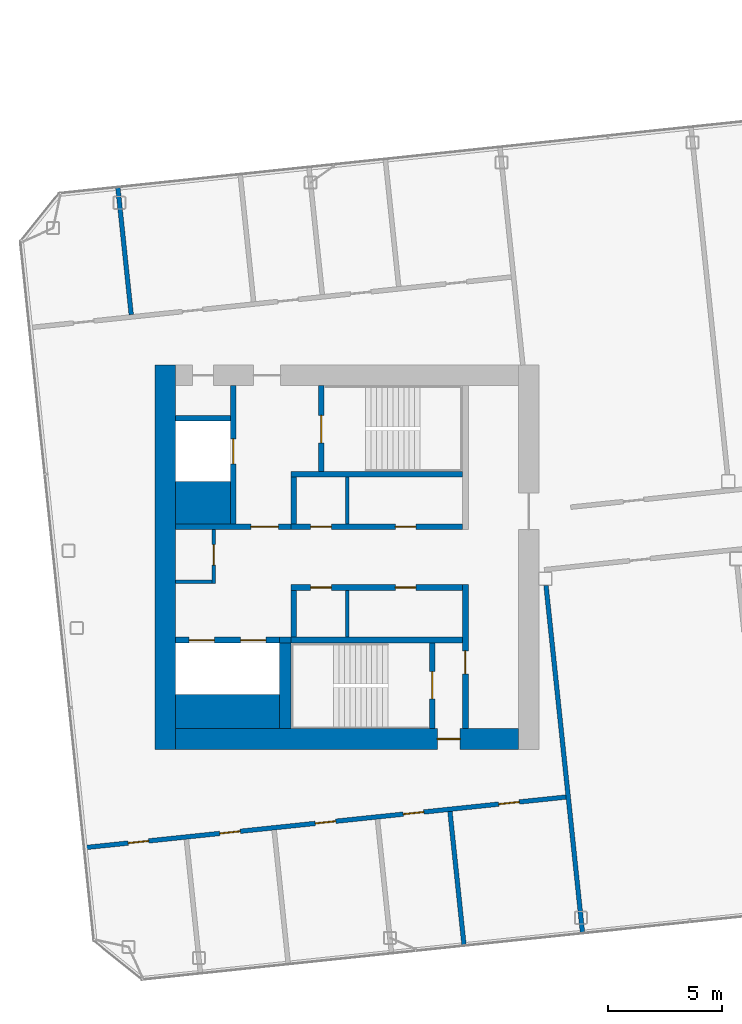
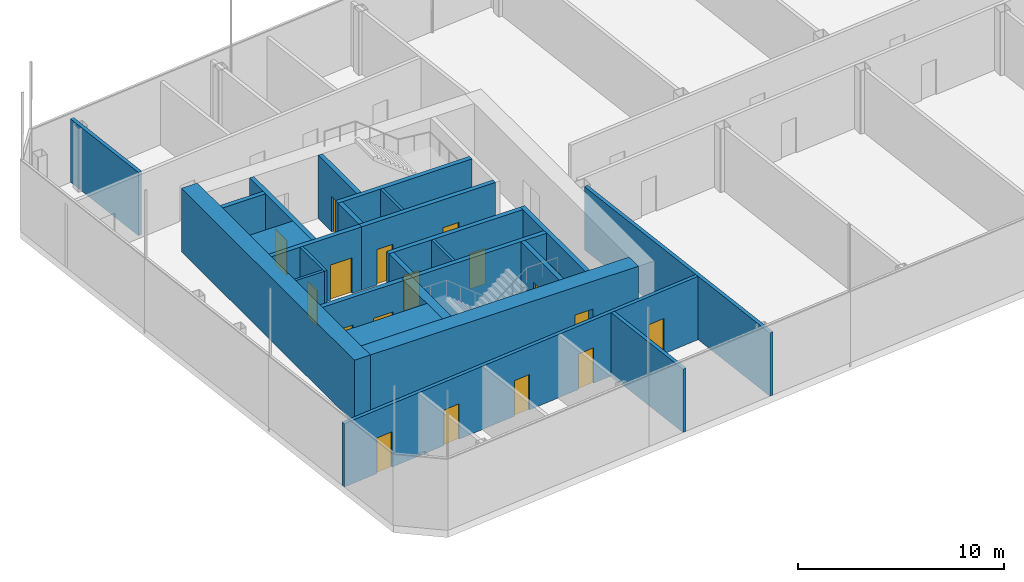
# One storey, part 17 of 41: 27 walls, 18 doors, 18 openings.
"""IFC4 building model written with IfcOpenShell, lengths in metres."""

from ifc_helpers import new_model, si_unit, direction, frame, frame_2d, origin, place, context, subcontext, project, spatial, rectangle, extrude, material, layer, layer_set, type_object, element, fill, save


model = new_model("IFC4")

# Units and contexts
model_context = context("Model", 3, precision=1e-05, world=origin(), true_north=direction((0.0, 1.0)))
body_context = subcontext(model_context, "Body", "Model", "MODEL_VIEW")
ifc_project = project(units=[si_unit("LENGTHUNIT", "METRE"), si_unit("AREAUNIT", "SQUARE_METRE"), si_unit("VOLUMEUNIT", "CUBIC_METRE"), si_unit("PLANEANGLEUNIT", "RADIAN"), si_unit("MASSUNIT", "GRAM", prefix="KILO")], contexts=[model_context])

# Site, building, storey
site_placement = place(None, origin())
site = spatial("IfcSite", under=ifc_project, at=site_placement, CompositionType="ELEMENT")
building_placement = place(site_placement, origin())
building = spatial("IfcBuilding", under=site, at=building_placement, Name="Hakoniwa Tower and Hamabe Station Hall", CompositionType="ELEMENT")
storey_placement = place(building_placement, frame((0.0, 0.0, 276.60009765625)))
storey = spatial("IfcBuildingStorey", under=building, at=storey_placement, Name="L77", CompositionType="ELEMENT", Elevation=276.60009765625)

# Wall, opening, door
ifc_material_1 = material(Name="Gypsum board partition")
ifc_layer_1 = layer(ifc_material_1, 0.14990234375)
ifc_layer_set_1 = layer_set([ifc_layer_1], Name="CORE PARTITION 150 EI 60")
wall_type_1 = type_object("IfcWallType", Name="CORE PARTITION 150 EI 60", PredefinedType="PARTITIONING", material=ifc_layer_set_1)
wall_1_placement = place(storey_placement, frame((-31.02490234375, -1.14990234375, 0.0), z_axis=(0.0, 0.0, 1.0), x_axis=(0.0, 1.0, 0.0)))
wall_1 = element("IfcWall", 1, at=wall_1_placement, inside=storey, type_object=wall_type_1, Name="Core partition PW0 west", PredefinedType="PARTITIONING", context=body_context, shape_type="SweptSolid", body=[
    extrude(rectangle(XDim=2.349853515625, YDim=0.14990234375, at=frame_2d((1.1748046875, 0.0))), origin(), (0.0, 0.0, 1.0), 3.75),
])
opening_1_placement = place(wall_1_placement, frame((0.800048828125, 0.0, 0.0)))
opening_1 = element("IfcOpeningElement", 2, at=opening_1_placement, cuts=wall_1, Name="Opening CD-W-RM1-9", PredefinedType="OPENING", context=body_context, shape_type="SweptSolid", body=[
    extrude(rectangle(XDim=0.89990234375, YDim=2.10009765625, at=frame_2d((0.449951171875, 1.050048828125))), frame((0.0, 0.0849609375, 0.0), z_axis=(0.0, -1.0, 0.0), x_axis=(1.0, 0.0, 0.0)), (0.0, 0.0, 1.0), 0.169921875),
])
ifc_material_2 = material(Name="Steel fire door", Category="steel")
door_type_1 = type_object("IfcDoorType", Name="CORE DOOR 900 FD30", OperationType="NOTDEFINED", PredefinedType="DOOR", material=ifc_material_2)
door_1_placement = place(opening_1_placement, origin())
door_1 = element("IfcDoor", 3, at=door_1_placement, inside=storey, type_object=door_type_1, Name="Store room door", OperationType="SINGLE_SWING_LEFT", OverallHeight=2.10009765625, OverallWidth=0.89990234375, PredefinedType="DOOR", context=body_context, shape_type="SweptSolid", body=[
    extrude(rectangle(XDim=0.89990234375, YDim=2.10009765625, at=frame_2d((0.449951171875, 1.050048828125))), frame((0.0, 0.02490234375, 0.0), z_axis=(0.0, -1.0, 0.0), x_axis=(1.0, 0.0, 0.0)), (0.0, 0.0, 1.0), 0.050048828125),
])
fill(opening_1, door_1)

# Walls
wall_2_placement = place(storey_placement, frame((-32.699951171875, -1.074951171875, 0.0), z_axis=(0.0, 0.0, 1.0), x_axis=(1.0, 0.0, 0.0)))
element("IfcWall", 4, at=wall_2_placement, inside=storey, type_object=wall_type_1, Name="Core partition PS west", PredefinedType="PARTITIONING", context=body_context, shape_type="SweptSolid", body=[
    extrude(rectangle(XDim=1.599853515625, YDim=0.14990234375, at=frame_2d((0.7998046875, 0.0))), origin(), (0.0, 0.0, 1.0), 3.75),
])
for number, where, z_axis, x_axis, name in (
    (5, (-25.199951171875, 1.449951171875, 0.0), (0.0, 0.0, 1.0), (0.0, 1.0, 0.0), "Core partition PFLR0 west"),
    (6, (-25.199951171875, -3.5, 0.0), (0.0, 0.0, 1.0), (0.0, 1.0, 0.0), "Core partition PFHR0 west"),
):
    element("IfcWall", number, at=place(storey_placement, frame(where, z_axis=z_axis, x_axis=x_axis)), inside=storey, type_object=wall_type_1, Name=name, PredefinedType="PARTITIONING", context=body_context, shape_type="SweptSolid", body=[
        extrude(rectangle(XDim=2.050048828125, YDim=0.14990234375, at=frame_2d((1.02490234375, 0.0))), origin(), (0.0, 0.0, 1.0), 3.75),
    ])
ifc_material_3 = material(Name="Concrete C60", Category="concrete")
ifc_layer_2 = layer(ifc_material_3, 0.89990234375)
ifc_layer_set_2 = layer_set([ifc_layer_2], Name="CORE WALL 900 C60")
wall_type_2 = type_object("IfcWallType", Name="CORE WALL 900 C60", PredefinedType="SHEAR", material=ifc_layer_set_2)
wall_3_placement = place(storey_placement, frame((-33.14990234375, -8.39990234375, 0.0), z_axis=(0.0, 0.0, 1.0), x_axis=(0.0, 1.0, 0.0)))
element("IfcWall", 7, at=wall_3_placement, inside=storey, type_object=wall_type_2, Name="Core wall OUTER west", PredefinedType="SHEAR", context=body_context, shape_type="SweptSolid", body=[
    extrude(rectangle(XDim=16.7998046875, YDim=0.89990234375, at=frame_2d((8.39990234375, 0.0))), origin(), (0.0, 0.0, 1.0), 3.75),
])

# Wall, opening, door
wall_4_placement = place(storey_placement, frame((-32.699951171875, -7.949951171875, 0.0), z_axis=(0.0, 0.0, 1.0), x_axis=(1.0, 0.0, 0.0)))
wall_4 = element("IfcWall", 8, at=wall_4_placement, inside=storey, type_object=wall_type_2, Name="Core wall SOUTH west", PredefinedType="SHEAR", context=body_context, shape_type="SweptSolid", body=[
    extrude(rectangle(XDim=15.0, YDim=0.89990234375, at=frame_2d((7.5, 0.0))), origin(), (0.0, 0.0, 1.0), 3.75),
])
opening_2_placement = place(wall_4_placement, frame((11.449951171875, 0.0, 0.0)))
opening_2 = element("IfcOpeningElement", 9, at=opening_2_placement, cuts=wall_4, Name="Opening CD-W-FS3-10", PredefinedType="OPENING", context=body_context, shape_type="SweptSolid", body=[
    extrude(rectangle(XDim=1.0, YDim=2.10009765625, at=frame_2d((0.5, 1.050048828125))), frame((0.0, 0.4599609375, 0.0), z_axis=(0.0, -1.0, 0.0), x_axis=(1.0, 0.0, 0.0)), (0.0, 0.0, 1.0), 0.919921875),
])
ifc_material_4 = material(Name="Steel fire door", Category="steel")
door_type_2 = type_object("IfcDoorType", Name="CORE DOOR 1000 FD60", OperationType="NOTDEFINED", PredefinedType="DOOR", material=ifc_material_4)
door_2_placement = place(opening_2_placement, origin())
door_2 = element("IfcDoor", 10, at=door_2_placement, inside=storey, type_object=door_type_2, Name="Stair vestibule door", OperationType="SINGLE_SWING_LEFT", OverallHeight=2.10009765625, OverallWidth=1.0, PredefinedType="DOOR", context=body_context, shape_type="SweptSolid", body=[
    extrude(rectangle(XDim=1.0, YDim=2.10009765625, at=frame_2d((0.5, 1.050048828125))), frame((0.0, 0.02490234375, 0.0), z_axis=(0.0, -1.0, 0.0), x_axis=(1.0, 0.0, 0.0)), (0.0, 0.0, 1.0), 0.050048828125),
])
fill(opening_2, door_2)

# Walls
ifc_material_5 = material(Name="Concrete C60", Category="concrete")
ifc_layer_3 = layer(ifc_material_5, 1.5)
ifc_layer_set_3 = layer_set([ifc_layer_3], Name="CORE WEB WALL 1500 C60")
wall_type_3 = type_object("IfcWallType", Name="CORE WEB WALL 1500 C60", PredefinedType="SHEAR", material=ifc_layer_set_3)
wall_5_placement = place(storey_placement, frame((-32.699951171875, -6.75, 0.0), z_axis=(0.0, 0.0, 1.0), x_axis=(1.0, 0.0, 0.0)))
element("IfcWall", 11, at=wall_5_placement, inside=storey, type_object=wall_type_3, Name="Core wall SER west", PredefinedType="SHEAR", context=body_context, shape_type="SweptSolid", body=[
    extrude(rectangle(XDim=4.550048828125, YDim=1.5, at=frame_2d((2.27490234375, 0.0))), origin(), (0.0, 0.0, 1.0), 3.75),
])
ifc_material_6 = material(Name="Concrete C60", Category="concrete")
ifc_layer_4 = layer(ifc_material_6, 1.85009765625)
ifc_layer_set_4 = layer_set([ifc_layer_4], Name="CORE WEB WALL 1850 C60")
wall_type_4 = type_object("IfcWallType", Name="CORE WEB WALL 1850 C60", PredefinedType="SHEAR", material=ifc_layer_set_4)
wall_6_placement = place(storey_placement, frame((-32.699951171875, 2.375, 0.0), z_axis=(0.0, 0.0, 1.0), x_axis=(1.0, 0.0, 0.0)))
element("IfcWall", 12, at=wall_6_placement, inside=storey, type_object=wall_type_4, Name="Core wall CA west", PredefinedType="SHEAR", context=body_context, shape_type="SweptSolid", body=[
    extrude(rectangle(XDim=2.39990234375, YDim=1.85009765625, at=frame_2d((1.199951171875, 0.0))), origin(), (0.0, 0.0, 1.0), 3.75),
])

# Wall, opening, door
ifc_material_7 = material(Name="Concrete C60", Category="concrete")
ifc_layer_5 = layer(ifc_material_7, 0.25)
ifc_layer_set_5 = layer_set([ifc_layer_5], Name="CORE WEB WALL 250 C60")
wall_type_5 = type_object("IfcWallType", Name="CORE WEB WALL 250 C60", PredefinedType="SHEAR", material=ifc_layer_set_5)
wall_7_placement = place(storey_placement, frame((-20.02490234375, -7.5, 0.0), z_axis=(0.0, 0.0, 1.0), x_axis=(0.0, 1.0, 0.0)))
wall_7 = element("IfcWall", 13, at=wall_7_placement, inside=storey, type_object=wall_type_5, Name="Core wall W1S west", PredefinedType="SHEAR", context=body_context, shape_type="SweptSolid", body=[
    extrude(rectangle(XDim=6.300048828125, YDim=0.25, at=frame_2d((3.14990234375, 0.0))), origin(), (0.0, 0.0, 1.0), 3.75),
])
opening_3_placement = place(wall_7_placement, frame((2.39990234375, 0.0, 0.0)))
opening_3 = element("IfcOpeningElement", 14, at=opening_3_placement, cuts=wall_7, Name="Opening CD-W-VS-10", PredefinedType="OPENING", context=body_context, shape_type="SweptSolid", body=[
    extrude(rectangle(XDim=1.0, YDim=2.10009765625, at=frame_2d((0.5, 1.050048828125))), frame((0.0, 0.135009765625, 0.0), z_axis=(0.0, -1.0, 0.0), x_axis=(1.0, 0.0, 0.0)), (0.0, 0.0, 1.0), 0.27001953125),
])
door_3_placement = place(opening_3_placement, origin())
door_3 = element("IfcDoor", 15, at=door_3_placement, inside=storey, type_object=door_type_2, Name="Stair vestibule door", OperationType="SINGLE_SWING_LEFT", OverallHeight=2.10009765625, OverallWidth=1.0, PredefinedType="DOOR", context=body_context, shape_type="SweptSolid", body=[
    extrude(rectangle(XDim=1.0, YDim=2.10009765625, at=frame_2d((0.5, 1.050048828125))), frame((0.0, 0.02490234375, 0.0), z_axis=(0.0, -1.0, 0.0), x_axis=(1.0, 0.0, 0.0)), (0.0, 0.0, 1.0), 0.050048828125),
])
fill(opening_3, door_3)

# Wall, openings, doors
wall_8_placement = place(storey_placement, frame((-27.64990234375, 1.324951171875, 0.0), z_axis=(0.0, 0.0, 1.0), x_axis=(1.0, 0.0, 0.0)))
wall_8 = element("IfcWall", 16, at=wall_8_placement, inside=storey, type_object=wall_type_5, Name="Core wall NF west", PredefinedType="SHEAR", context=body_context, shape_type="SweptSolid", body=[
    extrude(rectangle(XDim=7.5, YDim=0.25, at=frame_2d((3.75, 0.0))), origin(), (0.0, 0.0, 1.0), 3.75),
])
opening_4_placement = place(wall_8_placement, frame((4.5625, 0.0, 0.0)))
opening_4 = element("IfcOpeningElement", 17, at=opening_4_placement, cuts=wall_8, Name="Opening CD-W-FRLR0-9", PredefinedType="OPENING", context=body_context, shape_type="SweptSolid", body=[
    extrude(rectangle(XDim=0.89990234375, YDim=2.10009765625, at=frame_2d((0.449951171875, 1.050048828125))), frame((0.0, 0.135009765625, 0.0), z_axis=(0.0, -1.0, 0.0), x_axis=(1.0, 0.0, 0.0)), (0.0, 0.0, 1.0), 0.27001953125),
])
opening_5_placement = place(wall_8_placement, frame((0.862548828125, 0.0, 0.0)))
opening_5 = element("IfcOpeningElement", 18, at=opening_5_placement, cuts=wall_8, Name="Opening CD-W-FRLR1-9", PredefinedType="OPENING", context=body_context, shape_type="SweptSolid", body=[
    extrude(rectangle(XDim=0.89990234375, YDim=2.10009765625, at=frame_2d((0.449951171875, 1.050048828125))), frame((0.0, 0.135009765625, 0.0), z_axis=(0.0, -1.0, 0.0), x_axis=(1.0, 0.0, 0.0)), (0.0, 0.0, 1.0), 0.27001953125),
])
door_4_placement = place(opening_4_placement, origin())
door_4 = element("IfcDoor", 19, at=door_4_placement, inside=storey, type_object=door_type_1, Name="Store room door", OperationType="SINGLE_SWING_RIGHT", OverallHeight=2.10009765625, OverallWidth=0.89990234375, PredefinedType="DOOR", context=body_context, shape_type="SweptSolid", body=[
    extrude(rectangle(XDim=0.89990234375, YDim=2.10009765625, at=frame_2d((0.449951171875, 1.050048828125))), frame((0.0, 0.02490234375, 0.0), z_axis=(0.0, -1.0, 0.0), x_axis=(1.0, 0.0, 0.0)), (0.0, 0.0, 1.0), 0.050048828125),
])
fill(opening_4, door_4)
door_5_placement = place(opening_5_placement, origin())
door_5 = element("IfcDoor", 20, at=door_5_placement, inside=storey, type_object=door_type_1, Name="Store room door", OperationType="SINGLE_SWING_LEFT", OverallHeight=2.10009765625, OverallWidth=0.89990234375, PredefinedType="DOOR", context=body_context, shape_type="SweptSolid", body=[
    extrude(rectangle(XDim=0.89990234375, YDim=2.10009765625, at=frame_2d((0.449951171875, 1.050048828125))), frame((0.0, 0.02490234375, 0.0), z_axis=(0.0, -1.0, 0.0), x_axis=(1.0, 0.0, 0.0)), (0.0, 0.0, 1.0), 0.050048828125),
])
fill(opening_5, door_5)

# Walls
wall_9_placement = place(storey_placement, frame((-27.52490234375, 1.449951171875, 0.0), z_axis=(0.0, 0.0, 1.0), x_axis=(0.0, 1.0, 0.0)))
element("IfcWall", 21, at=wall_9_placement, inside=storey, type_object=wall_type_5, Name="Core wall NE west", PredefinedType="SHEAR", context=body_context, shape_type="SweptSolid", body=[
    extrude(rectangle(XDim=2.050048828125, YDim=0.25, at=frame_2d((1.02490234375, 0.0))), origin(), (0.0, 0.0, 1.0), 3.75),
])
wall_10_placement = place(storey_placement, frame((-27.64990234375, 3.625, 0.0), z_axis=(0.0, 0.0, 1.0), x_axis=(1.0, 0.0, 0.0)))
element("IfcWall", 22, at=wall_10_placement, inside=storey, type_object=wall_type_5, Name="Core wall NR west", PredefinedType="SHEAR", context=body_context, shape_type="SweptSolid", body=[
    extrude(rectangle(XDim=7.5, YDim=0.25, at=frame_2d((3.75, 0.0))), origin(), (0.0, 0.0, 1.0), 3.75),
])

# Wall, opening, door
wall_11_placement = place(storey_placement, frame((-26.324951171875, 3.75, 0.0), z_axis=(0.0, 0.0, 1.0), x_axis=(0.0, 1.0, 0.0)))
wall_11 = element("IfcWall", 23, at=wall_11_placement, inside=storey, type_object=wall_type_5, Name="Core wall NSE west", PredefinedType="SHEAR", context=body_context, shape_type="SweptSolid", body=[
    extrude(rectangle(XDim=3.75, YDim=0.25, at=frame_2d((1.875, 0.0))), origin(), (0.0, 0.0, 1.0), 3.75),
])
opening_6_placement = place(wall_11_placement, frame((1.25, 0.0, 0.0)))
opening_6 = element("IfcOpeningElement", 24, at=opening_6_placement, cuts=wall_11, Name="Opening CD-W-SN-12", PredefinedType="OPENING", context=body_context, shape_type="SweptSolid", body=[
    extrude(rectangle(XDim=1.199951171875, YDim=2.10009765625, at=frame_2d((0.60009765625, 1.050048828125))), frame((0.0, 0.135009765625, 0.0), z_axis=(0.0, -1.0, 0.0), x_axis=(1.0, 0.0, 0.0)), (0.0, 0.0, 1.0), 0.27001953125),
])
ifc_material_8 = material(Name="Steel fire door", Category="steel")
door_type_3 = type_object("IfcDoorType", Name="CORE DOOR 1200 FD60", OperationType="DOUBLE_DOOR_SINGLE_SWING", PredefinedType="DOOR", material=ifc_material_8)
door_6_placement = place(opening_6_placement, origin())
door_6 = element("IfcDoor", 25, at=door_6_placement, inside=storey, type_object=door_type_3, Name="Escape stair door", OperationType="DOUBLE_DOOR_SINGLE_SWING", OverallHeight=2.10009765625, OverallWidth=1.199951171875, PredefinedType="DOOR", context=body_context, shape_type="SweptSolid", body=[
    extrude(rectangle(XDim=1.199951171875, YDim=2.10009765625, at=frame_2d((0.60009765625, 1.050048828125))), frame((0.0, 0.02490234375, 0.0), z_axis=(0.0, -1.0, 0.0), x_axis=(1.0, 0.0, 0.0)), (0.0, 0.0, 1.0), 0.050048828125),
])
fill(opening_6, door_6)

wall_12_placement = place(storey_placement, frame((-32.699951171875, 1.324951171875, 0.0), z_axis=(0.0, 0.0, 1.0), x_axis=(1.0, 0.0, 0.0)))
wall_12 = element("IfcWall", 26, at=wall_12_placement, inside=storey, type_object=wall_type_5, Name="Core wall ELN west", PredefinedType="SHEAR", context=body_context, shape_type="SweptSolid", body=[
    extrude(rectangle(XDim=5.050048828125, YDim=0.25, at=frame_2d((2.52490234375, 0.0))), origin(), (0.0, 0.0, 1.0), 3.75),
])
opening_7_placement = place(wall_12_placement, frame((3.300048828125, 0.0, 0.0)))
opening_7 = element("IfcOpeningElement", 27, at=opening_7_placement, cuts=wall_12, Name="Opening CD-W-FL-12", PredefinedType="OPENING", context=body_context, shape_type="SweptSolid", body=[
    extrude(rectangle(XDim=1.199951171875, YDim=2.10009765625, at=frame_2d((0.60009765625, 1.050048828125))), frame((0.0, 0.135009765625, 0.0), z_axis=(0.0, -1.0, 0.0), x_axis=(1.0, 0.0, 0.0)), (0.0, 0.0, 1.0), 0.27001953125),
])
door_7_placement = place(opening_7_placement, origin())
door_7 = element("IfcDoor", 28, at=door_7_placement, inside=storey, type_object=door_type_3, Name="Stair vestibule door to the fire-fighting lobby", OperationType="DOUBLE_DOOR_SINGLE_SWING", OverallHeight=2.10009765625, OverallWidth=1.199951171875, PredefinedType="DOOR", context=body_context, shape_type="SweptSolid", body=[
    extrude(rectangle(XDim=1.199951171875, YDim=2.10009765625, at=frame_2d((0.60009765625, 1.050048828125))), frame((0.0, 0.02490234375, 0.0), z_axis=(0.0, -1.0, 0.0), x_axis=(1.0, 0.0, 0.0)), (0.0, 0.0, 1.0), 0.050048828125),
])
fill(opening_7, door_7)

wall_13_placement = place(storey_placement, frame((-30.175048828125, 1.449951171875, 0.0), z_axis=(0.0, 0.0, 1.0), x_axis=(0.0, 1.0, 0.0)))
wall_13 = element("IfcWall", 29, at=wall_13_placement, inside=storey, type_object=wall_type_5, Name="Core wall FFF west", PredefinedType="SHEAR", context=body_context, shape_type="SweptSolid", body=[
    extrude(rectangle(XDim=6.050048828125, YDim=0.25, at=frame_2d((3.02490234375, 0.0))), origin(), (0.0, 0.0, 1.0), 3.75),
])
opening_8_placement = place(wall_13_placement, frame((2.625, 0.0, 0.0)))
opening_8 = element("IfcOpeningElement", 30, at=opening_8_placement, cuts=wall_13, Name="Opening LD-FF1", PredefinedType="OPENING", context=body_context, shape_type="SweptSolid", body=[
    extrude(rectangle(XDim=1.10009765625, YDim=2.10009765625, at=frame_2d((0.550048828125, 1.050048828125))), frame((0.0, 0.135009765625, 0.0), z_axis=(0.0, -1.0, 0.0), x_axis=(1.0, 0.0, 0.0)), (0.0, 0.0, 1.0), 0.27001953125),
])
ifc_material_9 = material(Name="Stainless steel SUS304", Category="steel")
door_type_4 = type_object("IfcDoorType", Name="LIFT LANDING DOOR 1100 FD60", OperationType="DOUBLE_DOOR_SLIDING", PredefinedType="DOOR", material=ifc_material_9)
door_8_placement = place(opening_8_placement, origin())
door_8 = element("IfcDoor", 31, at=door_8_placement, inside=storey, type_object=door_type_4, Name="Lift landing door FF1 L77", OperationType="DOUBLE_DOOR_SLIDING", OverallHeight=2.10009765625, OverallWidth=1.10009765625, PredefinedType="DOOR", context=body_context, shape_type="SweptSolid", body=[
    extrude(rectangle(XDim=1.10009765625, YDim=2.10009765625, at=frame_2d((0.550048828125, 1.050048828125))), frame((0.0, 0.02490234375, 0.0), z_axis=(0.0, -1.0, 0.0), x_axis=(1.0, 0.0, 0.0)), (0.0, 0.0, 1.0), 0.050048828125),
])
fill(opening_8, door_8)

# Wall
wall_14_placement = place(storey_placement, frame((-32.699951171875, 6.074951171875, 0.0), z_axis=(0.0, 0.0, 1.0), x_axis=(1.0, 0.0, 0.0)))
element("IfcWall", 32, at=wall_14_placement, inside=storey, type_object=wall_type_5, Name="Core wall C2 west", PredefinedType="SHEAR", context=body_context, shape_type="SweptSolid", body=[
    extrude(rectangle(XDim=2.39990234375, YDim=0.25, at=frame_2d((1.199951171875, 0.0))), origin(), (0.0, 0.0, 1.0), 3.75),
])

# Wall, openings, doors
wall_15_placement = place(storey_placement, frame((-27.64990234375, -1.324951171875, 0.0), z_axis=(0.0, 0.0, 1.0), x_axis=(1.0, 0.0, 0.0)))
wall_15 = element("IfcWall", 33, at=wall_15_placement, inside=storey, type_object=wall_type_5, Name="Core wall SF west", PredefinedType="SHEAR", context=body_context, shape_type="SweptSolid", body=[
    extrude(rectangle(XDim=7.5, YDim=0.25, at=frame_2d((3.75, 0.0))), origin(), (0.0, 0.0, 1.0), 3.75),
])
opening_9_placement = place(wall_15_placement, frame((4.5625, 0.0, 0.0)))
opening_9 = element("IfcOpeningElement", 34, at=opening_9_placement, cuts=wall_15, Name="Opening CD-W-FRHR2-9", PredefinedType="OPENING", context=body_context, shape_type="SweptSolid", body=[
    extrude(rectangle(XDim=0.89990234375, YDim=2.10009765625, at=frame_2d((0.449951171875, 1.050048828125))), frame((0.0, 0.135009765625, 0.0), z_axis=(0.0, -1.0, 0.0), x_axis=(1.0, 0.0, 0.0)), (0.0, 0.0, 1.0), 0.27001953125),
])
opening_10_placement = place(wall_15_placement, frame((0.862548828125, 0.0, 0.0)))
opening_10 = element("IfcOpeningElement", 35, at=opening_10_placement, cuts=wall_15, Name="Opening CD-W-FRHR3-9", PredefinedType="OPENING", context=body_context, shape_type="SweptSolid", body=[
    extrude(rectangle(XDim=0.89990234375, YDim=2.10009765625, at=frame_2d((0.449951171875, 1.050048828125))), frame((0.0, 0.135009765625, 0.0), z_axis=(0.0, -1.0, 0.0), x_axis=(1.0, 0.0, 0.0)), (0.0, 0.0, 1.0), 0.27001953125),
])
door_9_placement = place(opening_9_placement, origin())
door_9 = element("IfcDoor", 36, at=door_9_placement, inside=storey, type_object=door_type_1, Name="Store room door", OperationType="SINGLE_SWING_RIGHT", OverallHeight=2.10009765625, OverallWidth=0.89990234375, PredefinedType="DOOR", context=body_context, shape_type="SweptSolid", body=[
    extrude(rectangle(XDim=0.89990234375, YDim=2.10009765625, at=frame_2d((0.449951171875, 1.050048828125))), frame((0.0, 0.02490234375, 0.0), z_axis=(0.0, -1.0, 0.0), x_axis=(1.0, 0.0, 0.0)), (0.0, 0.0, 1.0), 0.050048828125),
])
fill(opening_9, door_9)
door_10_placement = place(opening_10_placement, origin())
door_10 = element("IfcDoor", 37, at=door_10_placement, inside=storey, type_object=door_type_1, Name="Store room door", OperationType="SINGLE_SWING_RIGHT", OverallHeight=2.10009765625, OverallWidth=0.89990234375, PredefinedType="DOOR", context=body_context, shape_type="SweptSolid", body=[
    extrude(rectangle(XDim=0.89990234375, YDim=2.10009765625, at=frame_2d((0.449951171875, 1.050048828125))), frame((0.0, 0.02490234375, 0.0), z_axis=(0.0, -1.0, 0.0), x_axis=(1.0, 0.0, 0.0)), (0.0, 0.0, 1.0), 0.050048828125),
])
fill(opening_10, door_10)

# Walls
wall_16_placement = place(storey_placement, frame((-27.52490234375, -3.5, 0.0), z_axis=(0.0, 0.0, 1.0), x_axis=(0.0, 1.0, 0.0)))
element("IfcWall", 38, at=wall_16_placement, inside=storey, type_object=wall_type_5, Name="Core wall SE west", PredefinedType="SHEAR", context=body_context, shape_type="SweptSolid", body=[
    extrude(rectangle(XDim=2.050048828125, YDim=0.25, at=frame_2d((1.02490234375, 0.0))), origin(), (0.0, 0.0, 1.0), 3.75),
])
wall_17_placement = place(storey_placement, frame((-27.64990234375, -3.625, 0.0), z_axis=(0.0, 0.0, 1.0), x_axis=(1.0, 0.0, 0.0)))
element("IfcWall", 39, at=wall_17_placement, inside=storey, type_object=wall_type_5, Name="Core wall SR west", PredefinedType="SHEAR", context=body_context, shape_type="SweptSolid", body=[
    extrude(rectangle(XDim=7.5, YDim=0.25, at=frame_2d((3.75, 0.0))), origin(), (0.0, 0.0, 1.0), 3.75),
])

# Wall, opening, door
wall_18_placement = place(storey_placement, frame((-21.47509765625, -7.5, 0.0), z_axis=(0.0, 0.0, 1.0), x_axis=(0.0, 1.0, 0.0)))
wall_18 = element("IfcWall", 40, at=wall_18_placement, inside=storey, type_object=wall_type_5, Name="Core wall VE west", PredefinedType="SHEAR", context=body_context, shape_type="SweptSolid", body=[
    extrude(rectangle(XDim=3.75, YDim=0.25, at=frame_2d((1.875, 0.0))), origin(), (0.0, 0.0, 1.0), 3.75),
])
opening_11_placement = place(wall_18_placement, frame((1.300048828125, 0.0, 0.0)))
opening_11 = element("IfcOpeningElement", 41, at=opening_11_placement, cuts=wall_18, Name="Opening CD-W-SS-12", PredefinedType="OPENING", context=body_context, shape_type="SweptSolid", body=[
    extrude(rectangle(XDim=1.199951171875, YDim=2.10009765625, at=frame_2d((0.60009765625, 1.050048828125))), frame((0.0, 0.135009765625, 0.0), z_axis=(0.0, -1.0, 0.0), x_axis=(1.0, 0.0, 0.0)), (0.0, 0.0, 1.0), 0.27001953125),
])
door_11_placement = place(opening_11_placement, origin())
door_11 = element("IfcDoor", 42, at=door_11_placement, inside=storey, type_object=door_type_3, Name="Escape stair door", OperationType="DOUBLE_DOOR_SINGLE_SWING", OverallHeight=2.10009765625, OverallWidth=1.199951171875, PredefinedType="DOOR", context=body_context, shape_type="SweptSolid", body=[
    extrude(rectangle(XDim=1.199951171875, YDim=2.10009765625, at=frame_2d((0.60009765625, 1.050048828125))), frame((0.0, 0.02490234375, 0.0), z_axis=(0.0, -1.0, 0.0), x_axis=(1.0, 0.0, 0.0)), (0.0, 0.0, 1.0), 0.050048828125),
])
fill(opening_11, door_11)

# Wall, openings, doors
wall_19_placement = place(storey_placement, frame((-32.699951171875, -3.625, 0.0), z_axis=(0.0, 0.0, 1.0), x_axis=(1.0, 0.0, 0.0)))
wall_19 = element("IfcWall", 43, at=wall_19_placement, inside=storey, type_object=wall_type_5, Name="Core wall SEF west", PredefinedType="SHEAR", context=body_context, shape_type="SweptSolid", body=[
    extrude(rectangle(XDim=4.550048828125, YDim=0.25, at=frame_2d((2.27490234375, 0.0))), origin(), (0.0, 0.0, 1.0), 3.75),
])
opening_12_placement = place(wall_19_placement, frame((2.85009765625, 0.0, 0.0)))
opening_12 = element("IfcOpeningElement", 44, at=opening_12_placement, cuts=wall_19, Name="Opening LD-SV1", PredefinedType="OPENING", context=body_context, shape_type="SweptSolid", body=[
    extrude(rectangle(XDim=1.10009765625, YDim=2.10009765625, at=frame_2d((0.550048828125, 1.050048828125))), frame((0.0, 0.135009765625, 0.0), z_axis=(0.0, -1.0, 0.0), x_axis=(1.0, 0.0, 0.0)), (0.0, 0.0, 1.0), 0.27001953125),
])
opening_13_placement = place(wall_19_placement, frame((0.60009765625, 0.0, 0.0)))
opening_13 = element("IfcOpeningElement", 45, at=opening_13_placement, cuts=wall_19, Name="Opening LD-SV2", PredefinedType="OPENING", context=body_context, shape_type="SweptSolid", body=[
    extrude(rectangle(XDim=1.10009765625, YDim=2.10009765625, at=frame_2d((0.550048828125, 1.050048828125))), frame((0.0, 0.135009765625, 0.0), z_axis=(0.0, -1.0, 0.0), x_axis=(1.0, 0.0, 0.0)), (0.0, 0.0, 1.0), 0.27001953125),
])
door_12_placement = place(opening_12_placement, origin())
door_12 = element("IfcDoor", 46, at=door_12_placement, inside=storey, type_object=door_type_4, Name="Lift landing door SV1 L77", OperationType="DOUBLE_DOOR_SLIDING", OverallHeight=2.10009765625, OverallWidth=1.10009765625, PredefinedType="DOOR", context=body_context, shape_type="SweptSolid", body=[
    extrude(rectangle(XDim=1.10009765625, YDim=2.10009765625, at=frame_2d((0.550048828125, 1.050048828125))), frame((0.0, 0.02490234375, 0.0), z_axis=(0.0, -1.0, 0.0), x_axis=(1.0, 0.0, 0.0)), (0.0, 0.0, 1.0), 0.050048828125),
])
fill(opening_12, door_12)
door_13_placement = place(opening_13_placement, origin())
door_13 = element("IfcDoor", 47, at=door_13_placement, inside=storey, type_object=door_type_4, Name="Lift landing door SV2 L77", OperationType="DOUBLE_DOOR_SLIDING", OverallHeight=2.10009765625, OverallWidth=1.10009765625, PredefinedType="DOOR", context=body_context, shape_type="SweptSolid", body=[
    extrude(rectangle(XDim=1.10009765625, YDim=2.10009765625, at=frame_2d((0.550048828125, 1.050048828125))), frame((0.0, 0.02490234375, 0.0), z_axis=(0.0, -1.0, 0.0), x_axis=(1.0, 0.0, 0.0)), (0.0, 0.0, 1.0), 0.050048828125),
])
fill(opening_13, door_13)

# Walls
wall_20_placement = place(storey_placement, frame((-28.14990234375, -3.625, 0.0), z_axis=(0.0, 0.0, 1.0), x_axis=(1.0, 0.0, 0.0)))
element("IfcWall", 48, at=wall_20_placement, inside=storey, type_object=wall_type_5, Name="Core wall SRK west", PredefinedType="SHEAR", context=body_context, shape_type="SweptSolid", body=[
    extrude(rectangle(XDim=0.5, YDim=0.25, at=frame_2d((0.25, 0.0))), origin(), (0.0, 0.0, 1.0), 3.75),
])
ifc_material_10 = material(Name="Concrete C60", Category="concrete")
ifc_layer_6 = layer(ifc_material_10, 0.5)
ifc_layer_set_6 = layer_set([ifc_layer_6], Name="CORE WEB WALL 500 C60")
wall_type_6 = type_object("IfcWallType", Name="CORE WEB WALL 500 C60", PredefinedType="SHEAR", material=ifc_layer_set_6)
wall_21_placement = place(storey_placement, frame((-27.89990234375, -7.5, 0.0), z_axis=(0.0, 0.0, 1.0), x_axis=(0.0, 1.0, 0.0)))
element("IfcWall", 49, at=wall_21_placement, inside=storey, type_object=wall_type_6, Name="Core wall SSE west", PredefinedType="SHEAR", context=body_context, shape_type="SweptSolid", body=[
    extrude(rectangle(XDim=3.75, YDim=0.5, at=frame_2d((1.875, 0.0))), origin(), (0.0, 0.0, 1.0), 3.75),
])

# Wall, openings, doors
ifc_material_11 = material(Name="Fire-rated gypsum board partition", Category="gypsum")
ifc_layer_7 = layer(ifc_material_11, 0.199951171875)
ifc_layer_set_7 = layer_set([ifc_layer_7], Name="Corridor Wall 200")
wall_type_7 = type_object("IfcWallType", Name="Corridor Wall 200", PredefinedType="PARTITIONING", material=ifc_layer_set_7)
wall_22_placement = place(storey_placement, frame((-36.711669921875, -12.704833984375, 0.0), z_axis=(0.0, 0.0, 1.0), x_axis=(0.994522460242, 0.104523088709, 0.0)))
wall_22 = element("IfcWall", 50, at=wall_22_placement, inside=storey, type_object=wall_type_7, Name="GW-L77-002", PredefinedType="PARTITIONING", context=body_context, shape_type="SweptSolid", body=[
    extrude(rectangle(XDim=21.2998046875, YDim=0.199951171875, at=frame_2d((10.64990234375, 0.0))), origin(), (0.0, 0.0, 1.0), 3.75),
])
opening_14_placement = place(wall_22_placement, frame((1.949951171875, 0.0, 0.0)))
opening_14 = element("IfcOpeningElement", 51, at=opening_14_placement, cuts=wall_22, Name="Opening GD-SL77-01", PredefinedType="OPENING", context=body_context, shape_type="SweptSolid", body=[
    extrude(rectangle(XDim=0.89990234375, YDim=2.10009765625, at=frame_2d((0.449951171875, 1.050048828125))), frame((0.0, 0.10986328125, 0.0), z_axis=(0.0, -1.0, 0.0), x_axis=(1.0, 0.0, 0.0)), (0.0, 0.0, 1.0), 0.219970703125),
])
opening_15_placement = place(wall_22_placement, frame((5.97998046875, 0.0, 0.0)))
opening_15 = element("IfcOpeningElement", 52, at=opening_15_placement, cuts=wall_22, Name="Opening GD-SL77-02", PredefinedType="OPENING", context=body_context, shape_type="SweptSolid", body=[
    extrude(rectangle(XDim=0.89990234375, YDim=2.10009765625, at=frame_2d((0.449951171875, 1.050048828125))), frame((0.0, 0.10986328125, 0.0), z_axis=(0.0, -1.0, 0.0), x_axis=(1.0, 0.0, 0.0)), (0.0, 0.0, 1.0), 0.219970703125),
])
opening_16_placement = place(wall_22_placement, frame((10.179931640625, 0.0, 0.0)))
opening_16 = element("IfcOpeningElement", 53, at=opening_16_placement, cuts=wall_22, Name="Opening GD-SL77-03", PredefinedType="OPENING", context=body_context, shape_type="SweptSolid", body=[
    extrude(rectangle(XDim=0.89990234375, YDim=2.10009765625, at=frame_2d((0.449951171875, 1.050048828125))), frame((0.0, 0.10986328125, 0.0), z_axis=(0.0, -1.0, 0.0), x_axis=(1.0, 0.0, 0.0)), (0.0, 0.0, 1.0), 0.219970703125),
])
opening_17_placement = place(wall_22_placement, frame((14.044921875, 0.0, 0.0)))
opening_17 = element("IfcOpeningElement", 54, at=opening_17_placement, cuts=wall_22, Name="Opening GD-SL77-04", PredefinedType="OPENING", context=body_context, shape_type="SweptSolid", body=[
    extrude(rectangle(XDim=0.89990234375, YDim=2.10009765625, at=frame_2d((0.449951171875, 1.050048828125))), frame((0.0, 0.10986328125, 0.0), z_axis=(0.0, -1.0, 0.0), x_axis=(1.0, 0.0, 0.0)), (0.0, 0.0, 1.0), 0.219970703125),
])
opening_18_placement = place(wall_22_placement, frame((18.2451171875, 0.0, 0.0)))
opening_18 = element("IfcOpeningElement", 55, at=opening_18_placement, cuts=wall_22, Name="Opening GD-SL77-05", PredefinedType="OPENING", context=body_context, shape_type="SweptSolid", body=[
    extrude(rectangle(XDim=0.89990234375, YDim=2.10009765625, at=frame_2d((0.449951171875, 1.050048828125))), frame((0.0, 0.10986328125, 0.0), z_axis=(0.0, -1.0, 0.0), x_axis=(1.0, 0.0, 0.0)), (0.0, 0.0, 1.0), 0.219970703125),
])
ifc_material_12 = material(Name="Timber door leaf", Category="wood")
door_type_5 = type_object("IfcDoorType", Name="Service Door 900", OperationType="SINGLE_SWING_LEFT", PredefinedType="DOOR", material=ifc_material_12)
door_14_placement = place(opening_14_placement, origin())
door_14 = element("IfcDoor", 56, at=door_14_placement, inside=storey, type_object=door_type_5, Name="Door GD-SL77-01", OperationType="SINGLE_SWING_RIGHT", OverallHeight=2.10009765625, OverallWidth=0.89990234375, PredefinedType="DOOR", context=body_context, shape_type="SweptSolid", body=[
    extrude(rectangle(XDim=0.89990234375, YDim=2.10009765625, at=frame_2d((0.449951171875, 1.050048828125))), frame((0.0, 0.02490234375, 0.0), z_axis=(0.0, -1.0, 0.0), x_axis=(1.0, 0.0, 0.0)), (0.0, 0.0, 1.0), 0.050048828125),
])
fill(opening_14, door_14)
door_15_placement = place(opening_15_placement, origin())
door_15 = element("IfcDoor", 57, at=door_15_placement, inside=storey, type_object=door_type_5, Name="Door GD-SL77-02", OperationType="SINGLE_SWING_LEFT", OverallHeight=2.10009765625, OverallWidth=0.89990234375, PredefinedType="DOOR", context=body_context, shape_type="SweptSolid", body=[
    extrude(rectangle(XDim=0.89990234375, YDim=2.10009765625, at=frame_2d((0.449951171875, 1.050048828125))), frame((0.0, 0.02490234375, 0.0), z_axis=(0.0, -1.0, 0.0), x_axis=(1.0, 0.0, 0.0)), (0.0, 0.0, 1.0), 0.050048828125),
])
fill(opening_15, door_15)
door_16_placement = place(opening_16_placement, origin())
door_16 = element("IfcDoor", 58, at=door_16_placement, inside=storey, type_object=door_type_5, Name="Door GD-SL77-03", OperationType="SINGLE_SWING_RIGHT", OverallHeight=2.10009765625, OverallWidth=0.89990234375, PredefinedType="DOOR", context=body_context, shape_type="SweptSolid", body=[
    extrude(rectangle(XDim=0.89990234375, YDim=2.10009765625, at=frame_2d((0.449951171875, 1.050048828125))), frame((0.0, 0.02490234375, 0.0), z_axis=(0.0, -1.0, 0.0), x_axis=(1.0, 0.0, 0.0)), (0.0, 0.0, 1.0), 0.050048828125),
])
fill(opening_16, door_16)
door_17_placement = place(opening_17_placement, origin())
door_17 = element("IfcDoor", 59, at=door_17_placement, inside=storey, type_object=door_type_5, Name="Door GD-SL77-04", OperationType="SINGLE_SWING_LEFT", OverallHeight=2.10009765625, OverallWidth=0.89990234375, PredefinedType="DOOR", context=body_context, shape_type="SweptSolid", body=[
    extrude(rectangle(XDim=0.89990234375, YDim=2.10009765625, at=frame_2d((0.449951171875, 1.050048828125))), frame((0.0, 0.02490234375, 0.0), z_axis=(0.0, -1.0, 0.0), x_axis=(1.0, 0.0, 0.0)), (0.0, 0.0, 1.0), 0.050048828125),
])
fill(opening_17, door_17)
door_18_placement = place(opening_18_placement, origin())
door_18 = element("IfcDoor", 60, at=door_18_placement, inside=storey, type_object=door_type_5, Name="Door GD-SL77-05", OperationType="SINGLE_SWING_RIGHT", OverallHeight=2.10009765625, OverallWidth=0.89990234375, PredefinedType="DOOR", context=body_context, shape_type="SweptSolid", body=[
    extrude(rectangle(XDim=0.89990234375, YDim=2.10009765625, at=frame_2d((0.449951171875, 1.050048828125))), frame((0.0, 0.02490234375, 0.0), z_axis=(0.0, -1.0, 0.0), x_axis=(1.0, 0.0, 0.0)), (0.0, 0.0, 1.0), 0.050048828125),
])
fill(opening_18, door_18)

# Walls
ifc_material_13 = material(Name="Fire-rated gypsum board partition", Category="gypsum")
ifc_layer_8 = layer(ifc_material_13, 0.199951171875)
ifc_layer_set_8 = layer_set([ifc_layer_8], Name="Party Wall 200")
wall_type_8 = type_object("IfcWallType", Name="Party Wall 200", PredefinedType="PARTITIONING", material=ifc_layer_set_8)
wall_23_placement = place(storey_placement, frame((-34.63671875, 10.603759765625, 0.0), z_axis=(0.0, 0.0, 1.0), x_axis=(-0.104560413987, 0.994518536693, 0.0)))
element("IfcWall", 61, at=wall_23_placement, inside=storey, type_object=wall_type_8, Name="GW-L77-008", PredefinedType="PARTITIONING", context=body_context, shape_type="SweptSolid", body=[
    extrude(rectangle(XDim=5.6201171875, YDim=0.199951171875, at=frame_2d((2.81005859375, 0.0))), origin(), (0.0, 0.0, 1.0), 3.75),
])
wall_24_placement = place(storey_placement, frame((-20.0810546875, -17.005859375, 0.0), z_axis=(0.0, 0.0, 1.0), x_axis=(-0.10453655107, 0.994521045273, 0.0)))
element("IfcWall", 62, at=wall_24_placement, inside=storey, type_object=wall_type_8, Name="GW-L77-013", PredefinedType="PARTITIONING", context=body_context, shape_type="SweptSolid", body=[
    extrude(rectangle(XDim=5.915771484375, YDim=0.199951171875, at=frame_2d((2.9580078125, 0.0))), origin(), (0.0, 0.0, 1.0), 3.75),
])
wall_25_placement = place(storey_placement, frame((-14.899658203125, -16.46142578125, 0.0), z_axis=(0.0, 0.0, 1.0), x_axis=(-0.104523729364, 0.99452239291, 0.0)))
element("IfcWall", 63, at=wall_25_placement, inside=storey, type_object=wall_type_8, Name="GW-L77-015", PredefinedType="PARTITIONING", context=body_context, shape_type="SweptSolid", body=[
    extrude(rectangle(XDim=15.308349609375, YDim=0.199951171875, at=frame_2d((7.654296875, 0.0))), origin(), (0.0, 0.0, 1.0), 3.75),
])

save(model, "model.ifc")
